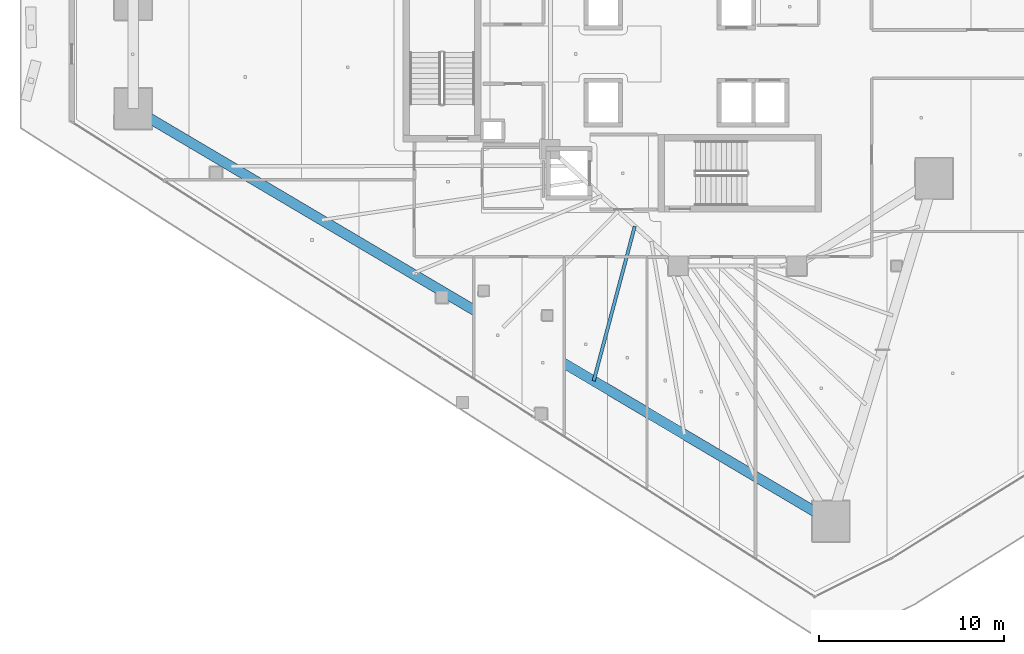
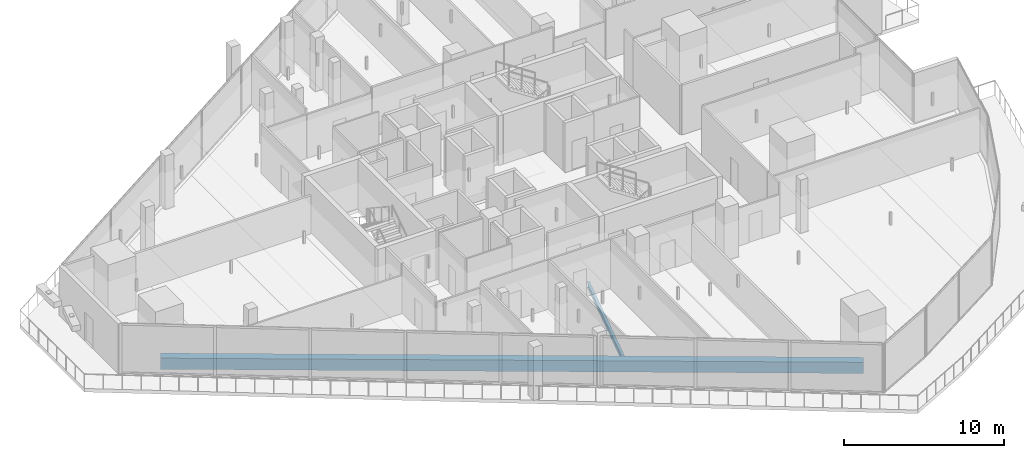
# One storey, part 3 of 39: 2 beams.
"""IFC4 building model written with IfcOpenShell, lengths in metres."""

from ifc_helpers import new_model, si_unit, direction, frame, origin, origin_2d, place, context, subcontext, project, spatial, rectangle, i_section, extrude, material, material_profile, profile_set, type_object, element, save


model = new_model("IFC4")

# Units and contexts
model_context = context("Model", 3, precision=1e-05, world=origin(), true_north=direction((0.0, 1.0)))
body_context = subcontext(model_context, "Body", "Model", "MODEL_VIEW")
ifc_project = project(units=[si_unit("LENGTHUNIT", "METRE"), si_unit("AREAUNIT", "SQUARE_METRE"), si_unit("VOLUMEUNIT", "CUBIC_METRE"), si_unit("PLANEANGLEUNIT", "RADIAN"), si_unit("MASSUNIT", "GRAM", prefix="KILO")], contexts=[model_context])

# Site, building, storey
site_placement = place(None, origin())
site = spatial("IfcSite", under=ifc_project, at=site_placement, CompositionType="ELEMENT")
building_placement = place(site_placement, origin())
building = spatial("IfcBuilding", under=site, at=building_placement, Name="Qorvath Tower", CompositionType="ELEMENT")
storey_placement = place(building_placement, frame((0.0, 0.0, 162.449951171875)))
storey = spatial("IfcBuildingStorey", under=building, at=storey_placement, Name="L37", CompositionType="ELEMENT", Elevation=162.449951171875)

# Beams
ifc_material_1 = material(Name="Steel ASTM A992 Grade 50", Category="steel")
ifc_material_profile_1 = material_profile(ifc_material_1, i_section(OverallWidth=0.177978515625, OverallDepth=0.406005859375, WebThickness=0.0078125, FlangeThickness=0.0126953125, FilletRadius=0.010986328125, at=origin_2d()), Name="W16x40")
ifc_profile_set_1 = profile_set([ifc_material_profile_1], Name="Steel ASTM A992 Grade 50")
beam_type_1 = type_object("IfcBeamType", Name="BM-FJ3", PredefinedType="JOIST", material=ifc_profile_set_1)
beam_1_placement = place(storey_placement, frame((-25.946044921875, -9.30810546875, -0.47314453125), z_axis=(-0.256507909517, -0.966542131702, 0.0), x_axis=(0.966542131702, -0.256507909517, 0.0)))
element("IfcBeam", 1, at=beam_1_placement, inside=storey, type_object=beam_type_1, Name="Composite Floor Joist SW5 L37", PredefinedType="JOIST", context=body_context, shape_type="SweptSolid", body=[
    extrude(i_section(OverallWidth=0.177978515625, OverallDepth=0.406005859375, WebThickness=0.0078125, FlangeThickness=0.0126953125, FilletRadius=0.010986328125, at=origin_2d()), origin(), (0.0, 0.0, 1.0), 8.64697265625),
])
ifc_material_2 = material(Name="Concrete C50/60", Category="concrete")
ifc_material_profile_2 = material_profile(ifc_material_2, rectangle(XDim=0.550048828125, YDim=0.85009765625, at=origin_2d()), Name="RCB 850x550")
ifc_profile_set_2 = profile_set([ifc_material_profile_2], Name="Concrete C50/60")
beam_type_2 = type_object("IfcBeamType", Name="BM-RCB2", PredefinedType="SPANDREL", material=ifc_profile_set_2)
beam_2_placement = place(storey_placement, frame((-53.04931640625, -2.95068359375, -0.695068359375), z_axis=(0.860775142889, -0.508985415689, 0.0), x_axis=(0.508985415689, 0.860775142889, 0.0)))
element("IfcBeam", 2, at=beam_2_placement, inside=storey, type_object=beam_type_2, Name="Perimeter Loggia Frame Beam MC2-MC3 L37", PredefinedType="SPANDREL", context=body_context, shape_type="SweptSolid", body=[
    extrude(rectangle(XDim=0.550048828125, YDim=0.85009765625, at=origin_2d()), origin(), (0.0, 0.0, 1.0), 43.8037109375),
])

save(model, "model.ifc")
